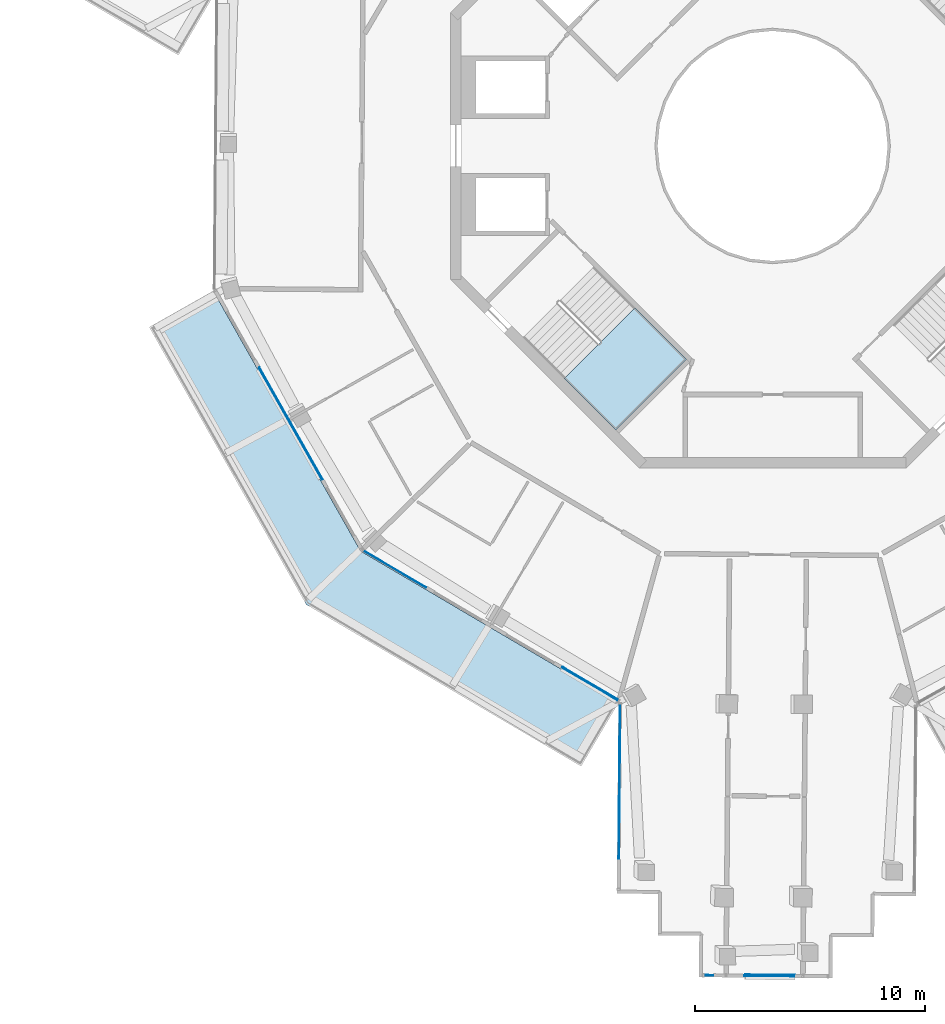
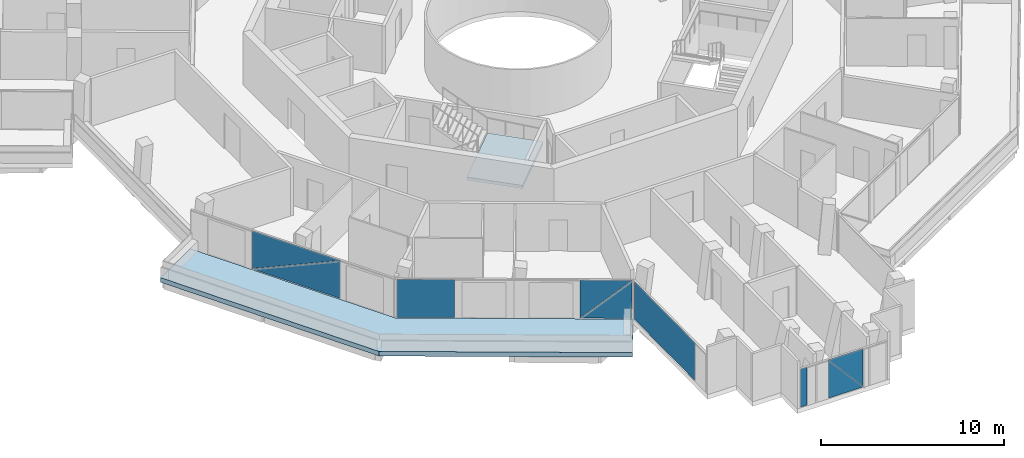
# One storey, part 11 of 24: 9 plates, 2 slabs, 5 elements without a shape of their own.
"""IFC4 building model written with IfcOpenShell, lengths in metres."""

from ifc_helpers import new_model, si_unit, direction, frame, origin, origin_2d, place, context, subcontext, project, spatial, polyline, rectangle, outline, extrude, material, layer, layer_set, type_object, element, aggregate, save


model = new_model("IFC4")

# Units and contexts
model_context = context("Model", 3, precision=1e-05, world=origin(), true_north=direction((0.0, 1.0)))
body_context = subcontext(model_context, "Body", "Model", "MODEL_VIEW")
ifc_project = project(units=[si_unit("LENGTHUNIT", "METRE"), si_unit("AREAUNIT", "SQUARE_METRE"), si_unit("VOLUMEUNIT", "CUBIC_METRE"), si_unit("PLANEANGLEUNIT", "RADIAN"), si_unit("MASSUNIT", "GRAM", prefix="KILO")], contexts=[model_context])

# Site, building, storey
site_placement = place(None, origin())
site = spatial("IfcSite", under=ifc_project, at=site_placement, CompositionType="ELEMENT")
building_placement = place(site_placement, origin())
building = spatial("IfcBuilding", under=site, at=building_placement, Name="Verdalira Terraces Hotel", CompositionType="ELEMENT")
storey_placement = place(building_placement, frame((0.0, 0.0, 277.5)))
storey = spatial("IfcBuildingStorey", under=building, at=storey_placement, Name="L68", CompositionType="ELEMENT", Elevation=277.5)

# Slab
ifc_material_1 = material(Name="Precast concrete C40/50", Category="concrete")
ifc_layer_1 = layer(ifc_material_1, 0.31005859375)
ifc_layer_set_1 = layer_set([ifc_layer_1], Name="Balcony deck 310")
slab_type_1 = type_object("IfcSlabType", Name="Balcony deck 310", PredefinedType="FLOOR", material=ifc_layer_set_1)
slab_1_placement = place(storey_placement, frame((0.0, 0.0, -0.310059)))
element("IfcSlab", 1, at=slab_1_placement, inside=storey, type_object=slab_type_1, Name="Balcony deck", PredefinedType="FLOOR", context=body_context, shape_type="SweptSolid", body=[
    extrude(outline(polyline([(-20.268555, -19.931885), (-8.326172, -26.960693), (-6.702881, -24.203125), (-17.906494, -17.608887), (-24.312012, -6.296631), (-27.096436, -7.873291), (-20.268555, -19.931885)])), origin(), (0.0, 0.0, 1.0), 0.310059),
])

# Curtain wall, plates
ifc_material_2 = material(Name="Clear glass", Category="glass")
ifc_layer_2 = layer(ifc_material_2, 0.14990234375)
ifc_layer_set_2 = layer_set([ifc_layer_2], Name="CW1 curtain wall")
curtain_wall_type_1 = type_object("IfcCurtainWallType", Name="CW1 curtain wall", PredefinedType="NOTDEFINED", material=ifc_layer_set_2)
curtain_wall_1_placement = place(storey_placement, origin())
curtain_wall_1 = element("IfcCurtainWall", 2, at=curtain_wall_1_placement, inside=storey, type_object=curtain_wall_type_1, Name="CW1 curtain wall L68 edge 12", PredefinedType="NOTDEFINED")
ifc_material_3 = material(Name="Clear glass", Category="glass")
ifc_layer_3 = layer(ifc_material_3, 0.028076171875)
ifc_layer_set_3 = layer_set([ifc_layer_3], Name="CW1 glass unit 28")
plate_type_1 = type_object("IfcPlateType", Name="CW1 glass unit 28", PredefinedType="CURTAIN_PANEL", material=ifc_layer_set_3)
plate_1_placement = place(storey_placement, frame((-20.943115, -12.065674, 1.262451), z_axis=(-0.870183755, -0.492727342, 0.0), x_axis=(0.492727342, -0.870183755, 0.0)))
plate_1 = element("IfcPlate", 3, at=plate_1_placement, type_object=plate_type_1, Name="CW1 glass unit", PredefinedType="CURTAIN_PANEL", context=body_context, shape_type="SweptSolid", body=[
    extrude(outline(polyline([(-2.792969, -1.262451), (2.792969, -1.262451), (2.792969, 1.262451), (-2.792969, -1.262451)])), origin(), (0.0, 0.0, 1.0), 0.028076),
])
plate_2_placement = place(storey_placement, frame((-20.917725, -12.05127, 1.262451), z_axis=(-0.870183755, -0.492727342, 0.0), x_axis=(0.492727342, -0.870183755, 0.0)))
plate_2 = element("IfcPlate", 4, at=plate_2_placement, type_object=plate_type_1, Name="CW1 glass unit", PredefinedType="CURTAIN_PANEL", context=body_context, shape_type="SweptSolid", body=[
    extrude(outline(polyline([(-2.792969, -1.262451), (2.792969, 1.262451), (-2.792969, 1.262451), (-2.792969, -1.262451)])), origin(), (0.0, 0.0, 1.0), 0.028076),
])
aggregate(curtain_wall_1, [plate_1, plate_2])

curtain_wall_2_placement = place(storey_placement, origin())
curtain_wall_2 = element("IfcCurtainWall", 5, at=curtain_wall_2_placement, inside=storey, type_object=curtain_wall_type_1, Name="CW1 curtain wall L68 edge 13", PredefinedType="NOTDEFINED")
plate_3_placement = place(storey_placement, frame((-16.424805, -18.394043, 0.0), z_axis=(0.0, 0.0, 1.0), x_axis=(0.861806272, -0.507237567, 0.0)))
plate_3 = element("IfcPlate", 6, at=plate_3_placement, type_object=plate_type_1, Name="CW1 glass unit", PredefinedType="CURTAIN_PANEL", context=body_context, shape_type="SweptSolid", body=[
    extrude(rectangle(XDim=3.149902, YDim=0.028076, at=origin_2d()), origin(), (0.0, 0.0, 1.0), 2.524902),
])
plate_4_placement = place(storey_placement, frame((-7.928467, -23.378418, 1.262451), z_axis=(-0.507237567, -0.861806272, 0.0), x_axis=(0.861806272, -0.507237567, 0.0)))
plate_4 = element("IfcPlate", 7, at=plate_4_placement, type_object=plate_type_1, Name="CW1 glass unit", PredefinedType="CURTAIN_PANEL", context=body_context, shape_type="SweptSolid", body=[
    extrude(outline(polyline([(-1.414307, -1.262451), (1.414307, -1.262451), (1.414307, 1.262451), (-1.414307, -1.262451)])), origin(), (0.0, 0.0, 1.0), 0.028076),
])
plate_5_placement = place(storey_placement, frame((-7.913574, -23.353516, 1.262451), z_axis=(-0.507237567, -0.861806272, 0.0), x_axis=(0.861806272, -0.507237567, 0.0)))
plate_5 = element("IfcPlate", 8, at=plate_5_placement, type_object=plate_type_1, Name="CW1 glass unit", PredefinedType="CURTAIN_PANEL", context=body_context, shape_type="SweptSolid", body=[
    extrude(outline(polyline([(-1.414307, -1.262451), (1.414307, 1.262451), (-1.414307, 1.262451), (-1.414307, -1.262451)])), origin(), (0.0, 0.0, 1.0), 0.028076),
])
aggregate(curtain_wall_2, [plate_3, plate_4, plate_5])

# Curtain wall, plate
ifc_material_4 = material(Name="Clear glass", Category="glass")
ifc_layer_4 = layer(ifc_material_4, 0.14990234375)
ifc_layer_set_4 = layer_set([ifc_layer_4], Name="CW2 curtain wall")
curtain_wall_type_2 = type_object("IfcCurtainWallType", Name="CW2 curtain wall", PredefinedType="NOTDEFINED", material=ifc_layer_set_4)
curtain_wall_3_placement = place(storey_placement, origin())
curtain_wall_3 = element("IfcCurtainWall", 9, at=curtain_wall_3_placement, inside=storey, type_object=curtain_wall_type_2, Name="CW2 curtain wall L68 edge 14", PredefinedType="NOTDEFINED")
ifc_material_5 = material(Name="Clear glass", Category="glass")
ifc_layer_5 = layer(ifc_material_5, 0.031982421875)
ifc_layer_set_5 = layer_set([ifc_layer_5], Name="CW2 glass unit 32")
plate_type_2 = type_object("IfcPlateType", Name="CW2 glass unit 32", PredefinedType="CURTAIN_PANEL", material=ifc_layer_set_5)
plate_6_placement = place(storey_placement, frame((-6.656738, -27.637451, 0.0), z_axis=(0.0, 0.0, 1.0), x_axis=(-0.008377482, -0.999964908, 0.0)))
plate_6 = element("IfcPlate", 10, at=plate_6_placement, type_object=plate_type_2, Name="CW2 glass unit", PredefinedType="CURTAIN_PANEL", context=body_context, shape_type="SweptSolid", body=[
    extrude(rectangle(XDim=6.728027, YDim=0.031982, at=origin_2d()), origin(), (0.0, 0.0, 1.0), 2.524902),
])
aggregate(curtain_wall_3, [plate_6])

# Curtain wall, plates
ifc_material_6 = material(Name="Clear glass", Category="glass")
ifc_layer_6 = layer(ifc_material_6, 0.14990234375)
ifc_layer_set_6 = layer_set([ifc_layer_6], Name="CW3 curtain wall")
curtain_wall_type_3 = type_object("IfcCurtainWallType", Name="CW3 curtain wall", PredefinedType="NOTDEFINED", material=ifc_layer_set_6)
curtain_wall_4_placement = place(storey_placement, origin())
curtain_wall_4 = element("IfcCurtainWall", 11, at=curtain_wall_4_placement, inside=storey, type_object=curtain_wall_type_3, Name="CW3 curtain wall L68 edge 19", PredefinedType="NOTDEFINED")
ifc_material_7 = material(Name="Clear glass", Category="glass")
ifc_layer_7 = layer(ifc_material_7, 0.035888671875)
ifc_layer_set_7 = layer_set([ifc_layer_7], Name="CW3 glass unit 36")
plate_type_3 = type_object("IfcPlateType", Name="CW3 glass unit 36", PredefinedType="CURTAIN_PANEL", material=ifc_layer_set_7)
plate_7_placement = place(storey_placement, frame((-2.772217, -36.049316, 0.0), z_axis=(0.0, 0.0, 1.0), x_axis=(0.999964908, -0.008377482, 0.0)))
plate_7 = element("IfcPlate", 12, at=plate_7_placement, type_object=plate_type_3, Name="CW3 glass unit", PredefinedType="CURTAIN_PANEL", context=body_context, shape_type="SweptSolid", body=[
    extrude(rectangle(XDim=0.399902, YDim=0.035889, at=origin_2d()), origin(), (0.0, 0.0, 1.0), 2.524902),
])
plate_8_placement = place(storey_placement, frame((-0.126709, -36.053711, 1.262451), z_axis=(-0.008377482, -0.999964908, 0.0), x_axis=(0.999964908, -0.008377482, 0.0)))
plate_8 = element("IfcPlate", 13, at=plate_8_placement, type_object=plate_type_3, Name="CW3 glass unit", PredefinedType="CURTAIN_PANEL", context=body_context, shape_type="SweptSolid", body=[
    extrude(outline(polyline([(-1.103027, -1.262451), (1.103027, -1.262451), (-1.103027, 1.262451), (-1.103027, -1.262451)])), origin(), (0.0, 0.0, 1.0), 0.035889),
])
plate_9_placement = place(storey_placement, frame((-0.126465, -36.016602, 1.262451), z_axis=(-0.008377482, -0.999964908, 0.0), x_axis=(0.999964908, -0.008377482, 0.0)))
plate_9 = element("IfcPlate", 14, at=plate_9_placement, type_object=plate_type_3, Name="CW3 glass unit", PredefinedType="CURTAIN_PANEL", context=body_context, shape_type="SweptSolid", body=[
    extrude(outline(polyline([(1.103027, -1.262451), (1.103027, 1.262451), (-1.103027, 1.262451), (1.103027, -1.262451)])), origin(), (0.0, 0.0, 1.0), 0.035889),
])
aggregate(curtain_wall_4, [plate_7, plate_8, plate_9])

# Stair, slab
ifc_material_8 = material(Name="Concrete C40", Category="concrete")
stair_type = type_object("IfcStairType", Name="Core stair 20 risers 2125 mm wide", PredefinedType="HALF_TURN_STAIR", material=ifc_material_8)
stair_placement = place(storey_placement, origin())
stair = element("IfcStair", 15, at=stair_placement, inside=storey, type_object=stair_type, Name="L68 Exit stair ST2", PredefinedType="HALF_TURN_STAIR")
ifc_material_9 = material(Name="Concrete C40", Category="concrete")
ifc_layer_8 = layer(ifc_material_9, 0.199951171875)
ifc_layer_set_8 = layer_set([ifc_layer_8], Name="Core stair landing 200 mm")
slab_type_2 = type_object("IfcSlabType", Name="Core stair landing 200 mm", PredefinedType="LANDING", material=ifc_layer_set_8)
slab_2_placement = place(storey_placement, frame((0.0, 0.0, 1.550049)))
slab_2 = element("IfcSlab", 16, at=slab_2_placement, type_object=slab_type_2, Name="ST2 landing 1", PredefinedType="LANDING", context=body_context, shape_type="SweptSolid", body=[
    extrude(outline(polyline([(-9.054932, -10.107666), (-6.823486, -12.339111), (-3.747559, -9.263184), (-5.979004, -7.031738), (-9.054932, -10.107666)])), origin(), (0.0, 0.0, 1.0), 0.199951),
])
aggregate(stair, [slab_2])

save(model, "model.ifc")
